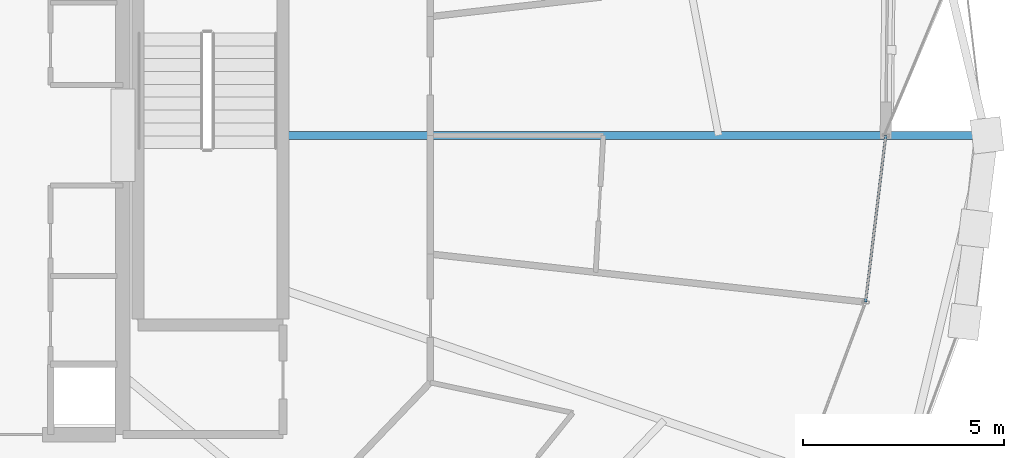
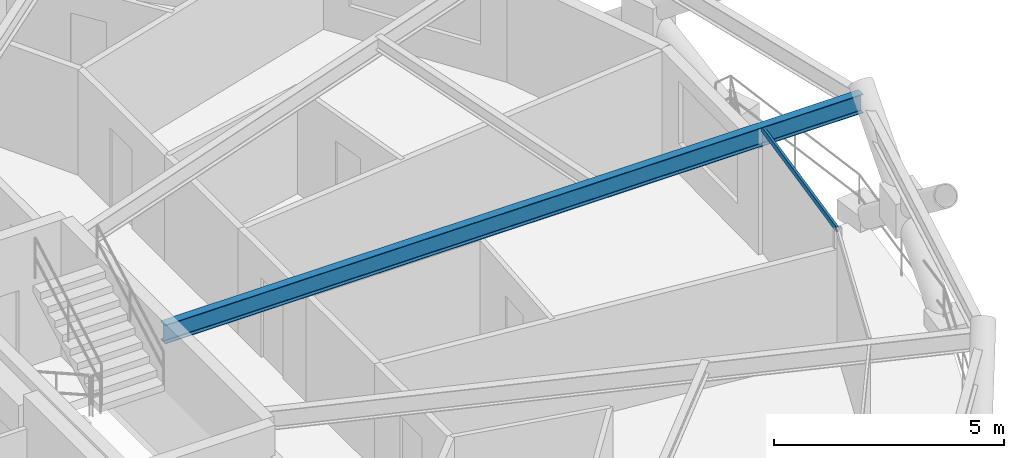
# One storey, part 9 of 20: 1 beam, 1 member, 1 element without a shape of its own.
"""IFC4 building model written with IfcOpenShell, lengths in metres."""

from ifc_helpers import new_model, si_unit, direction, frame, origin, origin_2d, place, context, subcontext, project, spatial, hollow_rectangle, i_section, extrude, material, layer, layer_set, material_profile, profile_set, type_object, element, aggregate, save


model = new_model("IFC4")

# Units and contexts
model_context = context("Model", 3, precision=1e-05, world=origin(), true_north=direction((0.0, 1.0)))
body_context = subcontext(model_context, "Body", "Model", "MODEL_VIEW")
ifc_project = project(units=[si_unit("LENGTHUNIT", "METRE"), si_unit("AREAUNIT", "SQUARE_METRE"), si_unit("VOLUMEUNIT", "CUBIC_METRE"), si_unit("PLANEANGLEUNIT", "RADIAN"), si_unit("MASSUNIT", "GRAM", prefix="KILO")], contexts=[model_context])

# Site, building, storey
site_placement = place(None, origin())
site = spatial("IfcSite", under=ifc_project, at=site_placement, CompositionType="ELEMENT")
building_placement = place(site_placement, origin())
building = spatial("IfcBuilding", under=site, at=building_placement, Name="Veldorina Hangang Commons", CompositionType="ELEMENT")
storey_placement = place(building_placement, frame((0.0, 0.0, 117.199951171875)))
storey = spatial("IfcBuildingStorey", under=building, at=storey_placement, Name="L29", CompositionType="ELEMENT", Elevation=117.199951171875)

# Beam
ifc_material_1 = material(Name="Steel SM420-TMC", Category="steel")
ifc_material_profile_1 = material_profile(ifc_material_1, i_section(OverallWidth=0.199951171875, OverallDepth=0.5, WebThickness=0.010009765625, FlangeThickness=0.01611328125, FilletRadius=0.01611328125, at=origin_2d()), Name="H-500x200x10x16")
ifc_profile_set_1 = profile_set([ifc_material_profile_1], Name="Steel SM420-TMC")
beam_type = type_object("IfcBeamType", Name="BM-FG500", PredefinedType="BEAM", material=ifc_profile_set_1)
beam_placement = place(storey_placement, frame((43.179931640625, 24.0, 3.10009765625), z_axis=(1.0, 0.0, 0.0), x_axis=(0.0, 1.0, 0.0)))
element("IfcBeam", 1, at=beam_placement, inside=storey, type_object=beam_type, Name="L29 radial floor girder 01", PredefinedType="BEAM", context=body_context, shape_type="SweptSolid", body=[
    extrude(i_section(OverallWidth=0.199951171875, OverallDepth=0.5, WebThickness=0.010009765625, FlangeThickness=0.01611328125, FilletRadius=0.01611328125, at=origin_2d()), origin(), (0.0, 0.0, 1.0), 17.49267578125),
])

# Curtain wall, member
ifc_material_2 = material(Name="Glass Low-E Triple IGU", Category="glass")
ifc_layer = layer(ifc_material_2, 0.179931640625)
ifc_layer_set = layer_set([ifc_layer], Name="Glass Low-E Triple IGU")
curtain_wall_type = type_object("IfcCurtainWallType", Name="CW-SYS-Z2", PredefinedType="NOTDEFINED", material=ifc_layer_set)
curtain_wall_placement = place(storey_placement, origin())
curtain_wall = element("IfcCurtainWall", 2, at=curtain_wall_placement, inside=storey, type_object=curtain_wall_type, Name="L29 unitised curtain wall CW-L29-R2", PredefinedType="NOTDEFINED")
ifc_material_3 = material(Name="Aluminium Anodized AA6063-T6", Category="aluminium")
ifc_material_profile_2 = material_profile(ifc_material_3, hollow_rectangle(XDim=0.06005859375, YDim=0.139892578125, WallThickness=0.00341796875, at=origin_2d()), Name="ALU-RHS-140x60x3.5")
ifc_profile_set_2 = profile_set([ifc_material_profile_2], Name="Aluminium Anodized AA6063-T6")
member_type = type_object("IfcMemberType", Name="CW-TRN-140", PredefinedType="USERDEFINED", material=ifc_profile_set_2)
member_placement = place(storey_placement, frame((57.683349609375, 19.849609375, 3.27001953125), z_axis=(0.120354038854, 0.99273103373, 0.0), x_axis=(-0.99273103373, 0.120354038854, 0.0)))
member = element("IfcMember", 3, at=member_placement, type_object=member_type, Name="CW-L29-R2 facet 5 transom 1", ObjectType="TRANSOM", PredefinedType="USERDEFINED", context=body_context, shape_type="SweptSolid", body=[
    extrude(hollow_rectangle(XDim=0.06005859375, YDim=0.139892578125, WallThickness=0.00341796875, at=origin_2d()), origin(), (0.0, 0.0, 1.0), 4.1806640625),
])
aggregate(curtain_wall, [member])

save(model, "model.ifc")
